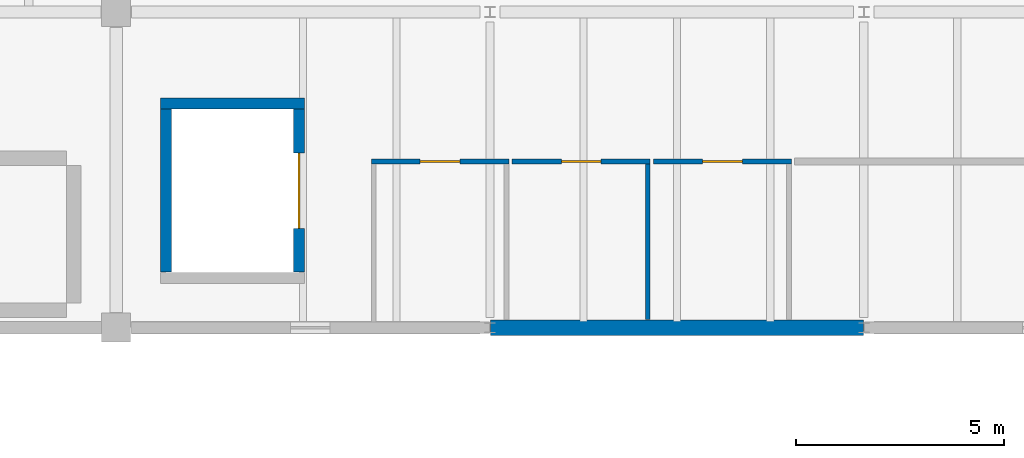
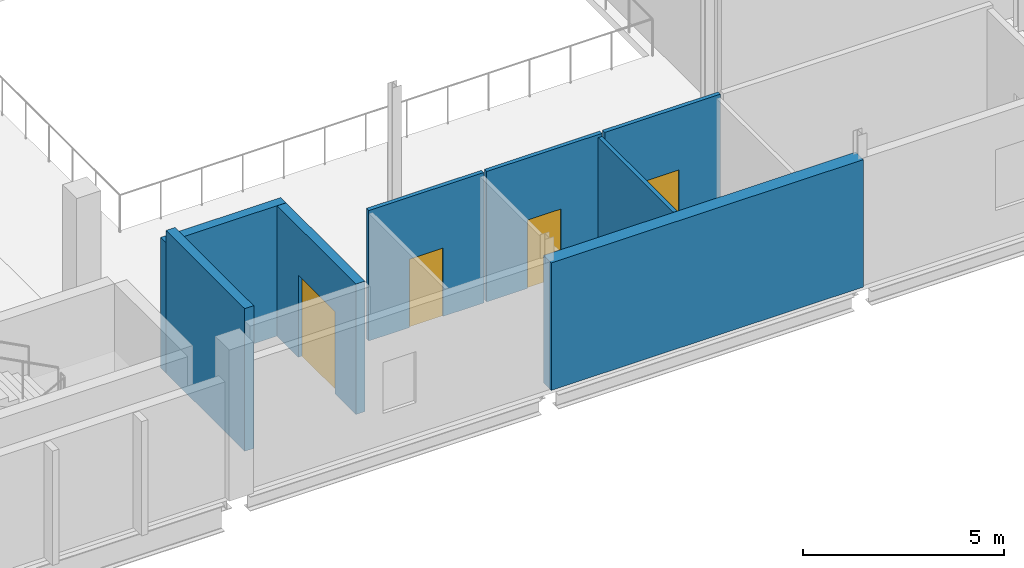
# One storey, part 29 of 37: 8 walls, 4 doors, 4 openings.
"""IFC4 building model written with IfcOpenShell, lengths in metres."""

import ifcopenshell
import ifcopenshell.guid

model = None  # the IFC model being written
_history = None  # IfcOwnerHistory: only IFC2X3 demands one
_inside = {}  # id of a spatial element -> (the spatial element, [elements in it])
_under = {}  # id of a project, library or spatial element -> (it, [spatial elements below it])
_declared = {}  # id of a project -> (the project, [libraries it declares])
_typed = {}  # id of a type object -> (the type object, [elements of that type])
_made_of = {}  # id of a material, layer set ... -> (it, [elements and type objects made of it])


def new_model(schema):
    """Start an empty IFC model of exactly this schema.

    Asked for "IFC4X3", IfcOpenShell would pick the latest addendum, in which some entities
    have other attributes; the version numbers below select the first issue.
    IFC2X3 requires an IfcOwnerHistory on every rooted entity: one is made here for all.
    """
    global model, _history
    if schema == "IFC4X3":
        model = ifcopenshell.file(schema_version=(4, 3, 0, 0))
    else:
        model = ifcopenshell.file(schema=schema)
    _inside.clear()
    _under.clear()
    _declared.clear()
    _typed.clear()
    _made_of.clear()
    _history = None
    if model.schema == "IFC2X3":
        org = make("IfcOrganization", Name="unknown")
        user = make(
            "IfcPersonAndOrganization",
            ThePerson=make("IfcPerson", FamilyName="unknown"),
            TheOrganization=org,
        )
        app = make(
            "IfcApplication",
            ApplicationDeveloper=org,
            Version="unknown",
            ApplicationFullName="unknown",
            ApplicationIdentifier="unknown",
        )
        _history = make(
            "IfcOwnerHistory",
            OwningUser=user,
            OwningApplication=app,
            ChangeAction="ADDED",
            CreationDate=0,
        )
    return model


def make(cls, **values):
    """One entity of the class cls with the attributes given. An attribute that is None is left unset."""
    return model.create_entity(
        cls, **{name: value for name, value in values.items() if value is not None}
    )


def rooted(cls, **values):
    """An entity with a GlobalId (a new one), such as an element, a storey or a relation."""
    return make(cls, GlobalId=ifcopenshell.guid.new(), OwnerHistory=_history, **values)


def si_unit(unit_type, name, prefix=None):
    """IfcSIUnit, for example si_unit("LENGTHUNIT", "METRE", prefix="MILLI")."""
    return make("IfcSIUnit", UnitType=unit_type, Prefix=prefix, Name=name)


def assignment(units):
    """IfcUnitAssignment: the units of a project."""
    return None if units is None else make("IfcUnitAssignment", Units=units)


def point(xyz):
    """IfcCartesianPoint."""
    return None if xyz is None else make("IfcCartesianPoint", Coordinates=xyz)


def direction(xyz):
    """IfcDirection."""
    return None if xyz is None else make("IfcDirection", DirectionRatios=xyz)


def frame(location, z_axis=None, x_axis=None):
    """IfcAxis2Placement3D, a coordinate frame: its origin and axes. An axis left out is left unset."""
    return make(
        "IfcAxis2Placement3D",
        Location=point(location),
        Axis=direction(z_axis),
        RefDirection=direction(x_axis),
    )


def frame_2d(location, x_axis=None):
    """IfcAxis2Placement2D, a coordinate frame in the plane: its origin and x axis."""
    return make(
        "IfcAxis2Placement2D", Location=point(location), RefDirection=direction(x_axis)
    )


def origin():
    """The frame at (0, 0, 0) with its axes left unset."""
    return frame((0.0, 0.0, 0.0))


def place(relative_to, where):
    """IfcLocalPlacement: puts the frame where relative to a parent placement (None: the world)."""
    return make(
        "IfcLocalPlacement", PlacementRelTo=relative_to, RelativePlacement=where
    )


def context(
    kind, dimensions, precision=None, world=None, true_north=None, identifier=None
):
    """IfcGeometricRepresentationContext, for example the 3D "Model" context."""
    return make(
        "IfcGeometricRepresentationContext",
        ContextIdentifier=identifier,
        ContextType=kind,
        CoordinateSpaceDimension=dimensions,
        Precision=precision,
        WorldCoordinateSystem=world,
        TrueNorth=true_north,
    )


def subcontext(parent, identifier, kind, view, scale=None):
    """IfcGeometricRepresentationSubContext, for example "Body" below "Model"."""
    return make(
        "IfcGeometricRepresentationSubContext",
        ContextIdentifier=identifier,
        ContextType=kind,
        ParentContext=parent,
        TargetScale=scale,
        TargetView=view,
    )


def project(units=None, contexts=None):
    """IfcProject with its units and contexts."""
    return rooted(
        "IfcProject",
        Name="project",
        RepresentationContexts=contexts,
        UnitsInContext=assignment(units),
    )


def spatial(cls, under=None, at=None, **own):
    """A site, building, storey or space (cls), placed at a placement, below another one or the project."""
    s = rooted(cls, ObjectPlacement=at, **own)
    if under is not None:
        _under.setdefault(under.id(), (under, []))[1].append(s)
    return s


def profile(cls, at=None, kind="AREA", **sizes):
    """A parametric profile (cls). Its sizes go by their IFC names, for example OverallWidth=200.0."""
    return make(cls, ProfileType=kind, Position=at, **sizes)


def rectangle(**sizes):
    """IfcRectangleProfileDef."""
    return profile("IfcRectangleProfileDef", **sizes)


def extrude(swept, where, along, depth):
    """IfcExtrudedAreaSolid: the profile swept, set in the frame where, extruded along a direction by depth."""
    return make(
        "IfcExtrudedAreaSolid",
        SweptArea=swept,
        Position=where,
        ExtrudedDirection=direction(along),
        Depth=depth,
    )


def shape(context_of_items, identifier, shape_type, items):
    """IfcShapeRepresentation: the items that make up one representation, for example the "Body"."""
    return make(
        "IfcShapeRepresentation",
        ContextOfItems=context_of_items,
        RepresentationIdentifier=identifier,
        RepresentationType=shape_type,
        Items=items,
    )


def material(Name=None, Category=None):
    """IfcMaterial."""
    return make("IfcMaterial", Name=Name, Category=Category)


def layer(
    of_material, thickness, ventilated=None, Name=None, Category=None, Priority=None
):
    """IfcMaterialLayer: one layer of a wall or slab, of a material (None: an air gap)."""
    return make(
        "IfcMaterialLayer",
        Material=of_material,
        LayerThickness=thickness,
        IsVentilated=ventilated,
        Name=Name,
        Category=Category,
        Priority=Priority,
    )


def layer_set(layers, Name=None):
    """IfcMaterialLayerSet."""
    return make("IfcMaterialLayerSet", MaterialLayers=layers, LayerSetName=Name)


def made_of(thing, what):
    """Note that an element or type object is made of a material, layer set ...; save() writes the relation."""
    if what is not None:
        _made_of.setdefault(what.id(), (what, []))[1].append(thing)
    return thing


def type_object(cls, material=None, **own):
    """A type object (cls), such as IfcWallType, which elements share."""
    return made_of(rooted(cls, **own), material)


def element(
    cls,
    number,
    at=None,
    inside=None,
    cuts=None,
    type_object=None,
    material=None,
    context=None,
    identifier="Body",
    shape_type=None,
    held_by="IfcProductDefinitionShape",
    body=None,
    shapes=None,
    **own,
):
    """One element of the class cls, such as IfcWall. Its Tag is "e" and its number.

    at: its placement. inside: the storey or other place that contains it. cuts: it is an
    opening in that element (IfcRelVoidsElement). A single representation is given by context,
    identifier, shape_type and body (its items); several are given by shapes. held_by: the class
    of the entity that holds the representations. save() writes the other relations.
    """
    e = rooted(cls, Tag="e%d" % number, ObjectPlacement=at, **own)
    if body is not None:
        shapes = [shape(context, identifier, shape_type, body)]
    if shapes is not None:
        e.Representation = make(held_by, Representations=shapes)
    if inside is not None:
        _inside.setdefault(inside.id(), (inside, []))[1].append(e)
    if cuts is not None:
        rooted(
            "IfcRelVoidsElement", RelatingBuildingElement=cuts, RelatedOpeningElement=e
        )
    if type_object is not None:
        _typed.setdefault(type_object.id(), (type_object, []))[1].append(e)
    return made_of(e, material)


def fill(opening, filler):
    """IfcRelFillsElement: the door or window that sits in an opening."""
    return rooted(
        "IfcRelFillsElement",
        RelatingOpeningElement=opening,
        RelatedBuildingElement=filler,
    )


def aggregate(whole, parts):
    """IfcRelAggregates: a whole, such as a stair, and the parts it consists of."""
    return rooted("IfcRelAggregates", RelatingObject=whole, RelatedObjects=parts)


def save(model, path):
    """Write the relations noted so far, then the file.

    IfcRelAggregates (storeys below a building ...), IfcRelContainedInSpatialStructure (elements
    in a storey), IfcRelDefinesByType, IfcRelAssociatesMaterial and IfcRelDeclares: one each for
    every whole, place, type object, material and project.
    """
    for whole, parts in _under.values():
        aggregate(whole, parts)
    for where, things in _inside.values():
        rooted(
            "IfcRelContainedInSpatialStructure",
            RelatedElements=things,
            RelatingStructure=where,
        )
    for kind, things in _typed.values():
        rooted("IfcRelDefinesByType", RelatedObjects=things, RelatingType=kind)
    for what, things in _made_of.values():
        rooted("IfcRelAssociatesMaterial", RelatedObjects=things, RelatingMaterial=what)
    for by, libraries in _declared.values():
        rooted("IfcRelDeclares", RelatingContext=by, RelatedDefinitions=libraries)
    model.write(path)


model = new_model("IFC4")

# Units and contexts
model_context = context("Model", 3, precision=1e-05, world=origin(), true_north=direction((0.0, 1.0)))
body_context = subcontext(model_context, "Body", "Model", "MODEL_VIEW")
ifc_project = project(units=[si_unit("LENGTHUNIT", "METRE"), si_unit("AREAUNIT", "SQUARE_METRE"), si_unit("VOLUMEUNIT", "CUBIC_METRE"), si_unit("PLANEANGLEUNIT", "RADIAN"), si_unit("MASSUNIT", "GRAM", prefix="KILO")], contexts=[model_context])

# Site, building, storey
site_placement = place(None, origin())
site = spatial("IfcSite", under=ifc_project, at=site_placement, CompositionType="ELEMENT")
building_placement = place(site_placement, origin())
building = spatial("IfcBuilding", under=site, at=building_placement, Name="Shengluoqiao Park Theatre", CompositionType="ELEMENT")
storey_placement = place(building_placement, frame((0.0, 0.0, 19.199951171875)))
storey = spatial("IfcBuildingStorey", under=building, at=storey_placement, Name="L04", CompositionType="ELEMENT", Elevation=19.199951171875)

# Walls
ifc_material_1 = material(Name="Concrete C45", Category="concrete")
ifc_layer_1 = layer(ifc_material_1, 0.3798828125, Name="Concrete C45")
ifc_layer_set_1 = layer_set([ifc_layer_1], Name="Concrete C45")
wall_type_1 = type_object("IfcWallType", Name="ENV-WL-CONC380", PredefinedType="STANDARD", material=ifc_layer_set_1)
wall_1_placement = place(storey_placement, frame((121.409912109375, 84.0, 0.0), z_axis=(0.0, 0.0, 1.0), x_axis=(1.0, 0.0, 0.0)))
element("IfcWall", 1, at=wall_1_placement, inside=storey, type_object=wall_type_1, Name="L04 Exterior Wall 0257", PredefinedType="STANDARD", context=body_context, shape_type="SweptSolid", body=[
    extrude(rectangle(XDim=8.97998046875, YDim=0.3798828125, at=frame_2d((4.489990234375, 0.0))), origin(), (0.0, 0.0, 1.0), 3.8779296875),
])
ifc_material_2 = material(Name="Concrete C40", Category="concrete")
ifc_layer_2 = layer(ifc_material_2, 0.260009765625, Name="Concrete C40")
ifc_layer_set_2 = layer_set([ifc_layer_2], Name="Concrete C40")
wall_type_2 = type_object("IfcWallType", Name="INT-WL-SHF260", PredefinedType="STANDARD", material=ifc_layer_set_2)
wall_2_placement = place(storey_placement, frame((113.469970703125, 89.39990234375, 0.0), z_axis=(0.0, 0.0, 1.0), x_axis=(1.0, 0.0, 0.0)))
element("IfcWall", 2, at=wall_2_placement, inside=storey, type_object=wall_type_2, Name="L04 FL1 Lift Shaft Wall North", PredefinedType="STANDARD", context=body_context, shape_type="SweptSolid", body=[
    extrude(rectangle(XDim=3.4599609375, YDim=0.260009765625, at=frame_2d((1.72998046875, 0.0))), origin(), (0.0, 0.0, 1.0), 3.968017578125),
])
wall_3_placement = place(storey_placement, frame((113.60009765625, 85.3359375, 0.0), z_axis=(0.0, 0.0, 1.0), x_axis=(0.0, 1.0, 0.0)))
element("IfcWall", 3, at=wall_3_placement, inside=storey, type_object=wall_type_2, Name="L04 FL1 Lift Shaft Wall West", PredefinedType="STANDARD", context=body_context, shape_type="SweptSolid", body=[
    extrude(rectangle(XDim=3.927978515625, YDim=0.260009765625, at=frame_2d((1.9638671875, 0.0))), origin(), (0.0, 0.0, 1.0), 4.340087890625),
])

# Wall, opening, door
wall_4_placement = place(storey_placement, frame((116.800048828125, 85.3359375, 0.0), z_axis=(0.0, 0.0, 1.0), x_axis=(0.0, 1.0, 0.0)))
wall_4 = element("IfcWall", 4, at=wall_4_placement, inside=storey, type_object=wall_type_2, Name="L04 FL1 Lift Shaft Wall East", PredefinedType="STANDARD", context=body_context, shape_type="SweptSolid", body=[
    extrude(rectangle(XDim=3.927978515625, YDim=0.260009765625, at=frame_2d((1.9638671875, 0.0))), origin(), (0.0, 0.0, 1.0), 3.968017578125),
])
opening_1_placement = place(wall_4_placement, frame((1.053955078125, 0.0, 0.0)))
opening_1 = element("IfcOpeningElement", 5, at=opening_1_placement, cuts=wall_4, Name="Opening LD-FL1-L04", PredefinedType="OPENING", context=body_context, shape_type="SweptSolid", body=[
    extrude(rectangle(XDim=1.820068359375, YDim=2.5, at=frame_2d((0.91015625, 1.25))), frame((0.0, 0.139892578125, 0.0), z_axis=(0.0, -1.0, 0.0), x_axis=(1.0, 0.0, 0.0)), (0.0, 0.0, 1.0), 0.280029296875),
])
ifc_material_3 = material(Name="Stainless steel 304", Category="steel")
door_type_1 = type_object("IfcDoorType", Name="INT-DR-LD182", OperationType="SLIDING_TO_LEFT", PredefinedType="DOOR", material=ifc_material_3)
door_1_placement = place(opening_1_placement, origin())
door_1 = element("IfcDoor", 6, at=door_1_placement, inside=storey, type_object=door_type_1, Name="FL1 Lift Landing Door LD-FL1-L04", OperationType="SLIDING_TO_LEFT", OverallHeight=2.5, OverallWidth=1.820068359375, PredefinedType="DOOR", context=body_context, shape_type="SweptSolid", body=[
    extrude(rectangle(XDim=1.820068359375, YDim=2.5, at=frame_2d((0.91015625, 1.25))), frame((0.0, 0.02490234375, 0.0), z_axis=(0.0, -1.0, 0.0), x_axis=(1.0, 0.0, 0.0)), (0.0, 0.0, 1.0), 0.050048828125),
])
fill(opening_1, door_1)

ifc_material_4 = material(Name="Moisture-resistant board")
ifc_layer_3 = layer(ifc_material_4, 0.114990234375, Name="Moisture-resistant board")
ifc_layer_set_3 = layer_set([ifc_layer_3], Name="Moisture-resistant board")
wall_type_3 = type_object("IfcWallType", Name="INT-WL-WCP115", PredefinedType="PARTITIONING", material=ifc_layer_set_3)
wall_5_placement = place(storey_placement, frame((118.54248046875, 88.0, 0.0), z_axis=(0.0, 0.0, 1.0), x_axis=(1.0, 0.0, 0.0)))
wall_5 = element("IfcWall", 7, at=wall_5_placement, inside=storey, type_object=wall_type_3, Name="Fourth Floor Accessible WC Partition N", PredefinedType="PARTITIONING", context=body_context, shape_type="SweptSolid", body=[
    extrude(rectangle(XDim=3.31494140625, YDim=0.114990234375, at=frame_2d((1.657470703125, 0.0))), origin(), (0.0, 0.0, 1.0), 3.968017578125),
])
opening_2_placement = place(wall_5_placement, frame((1.177490234375, 0.0, 0.0)))
opening_2 = element("IfcOpeningElement", 8, at=opening_2_placement, cuts=wall_5, Name="Opening D-L04-089", PredefinedType="OPENING", context=body_context, shape_type="SweptSolid", body=[
    extrude(rectangle(XDim=0.9599609375, YDim=2.080078125, at=frame_2d((0.47998046875, 1.0400390625))), frame((0.0, 0.0673828125, 0.0), z_axis=(0.0, -1.0, 0.0), x_axis=(1.0, 0.0, 0.0)), (0.0, 0.0, 1.0), 0.135009765625),
])
ifc_material_5 = material(Name="Moisture-resistant laminate")
door_type_2 = type_object("IfcDoorType", Name="INT-DR-ACC096", OperationType="NOTDEFINED", PredefinedType="DOOR", material=ifc_material_5)
door_2_placement = place(opening_2_placement, origin())
door_2 = element("IfcDoor", 9, at=door_2_placement, inside=storey, type_object=door_type_2, Name="Fourth Floor Accessible WC Door D-L04-089", OperationType="SINGLE_SWING_LEFT", OverallHeight=2.080078125, OverallWidth=0.9599609375, PredefinedType="DOOR", context=body_context, shape_type="SweptSolid", body=[
    extrude(rectangle(XDim=0.9599609375, YDim=2.080078125, at=frame_2d((0.47998046875, 1.0400390625))), frame((0.0, 0.02490234375, 0.0), z_axis=(0.0, -1.0, 0.0), x_axis=(1.0, 0.0, 0.0)), (0.0, 0.0, 1.0), 0.050048828125),
])
fill(opening_2, door_2)

wall_6_placement = place(storey_placement, frame((121.93505859375, 88.0, 0.0), z_axis=(0.0, 0.0, 1.0), x_axis=(1.0, 0.0, 0.0)))
wall_6 = element("IfcWall", 10, at=wall_6_placement, inside=storey, type_object=wall_type_3, Name="Fourth Floor Staff Male WC Partition N", PredefinedType="PARTITIONING", context=body_context, shape_type="SweptSolid", body=[
    extrude(rectangle(XDim=3.322509765625, YDim=0.114990234375, at=frame_2d((1.6611328125, 0.0))), origin(), (0.0, 0.0, 1.0), 3.968017578125),
])
opening_3_placement = place(wall_6_placement, frame((1.18115234375, 0.0, 0.0)))
opening_3 = element("IfcOpeningElement", 11, at=opening_3_placement, cuts=wall_6, Name="Opening D-L04-090", PredefinedType="OPENING", context=body_context, shape_type="SweptSolid", body=[
    extrude(rectangle(XDim=0.9599609375, YDim=2.080078125, at=frame_2d((0.47998046875, 1.0400390625))), frame((0.0, 0.0673828125, 0.0), z_axis=(0.0, -1.0, 0.0), x_axis=(1.0, 0.0, 0.0)), (0.0, 0.0, 1.0), 0.135009765625),
])
door_3_placement = place(opening_3_placement, origin())
door_3 = element("IfcDoor", 12, at=door_3_placement, inside=storey, type_object=door_type_2, Name="Fourth Floor Staff Male WC Door D-L04-090", OperationType="SINGLE_SWING_RIGHT", OverallHeight=2.080078125, OverallWidth=0.9599609375, PredefinedType="DOOR", context=body_context, shape_type="SweptSolid", body=[
    extrude(rectangle(XDim=0.9599609375, YDim=2.080078125, at=frame_2d((0.47998046875, 1.0400390625))), frame((0.0, 0.02490234375, 0.0), z_axis=(0.0, -1.0, 0.0), x_axis=(1.0, 0.0, 0.0)), (0.0, 0.0, 1.0), 0.050048828125),
])
fill(opening_3, door_3)

# Wall
wall_7_placement = place(storey_placement, frame((125.199951171875, 84.197998046875, 0.0), z_axis=(0.0, 0.0, 1.0), x_axis=(0.0, 1.0, 0.0)))
element("IfcWall", 13, at=wall_7_placement, inside=storey, type_object=wall_type_3, Name="Fourth Floor Staff Male WC Partition E", PredefinedType="PARTITIONING", context=body_context, shape_type="SweptSolid", body=[
    extrude(rectangle(XDim=3.738525390625, YDim=0.114990234375, at=frame_2d((1.869140625, 0.0))), origin(), (0.0, 0.0, 1.0), 3.8779296875),
])

# Wall, opening, door
wall_8_placement = place(storey_placement, frame((125.3349609375, 88.0, 0.0), z_axis=(0.0, 0.0, 1.0), x_axis=(1.0, 0.0, 0.0)))
wall_8 = element("IfcWall", 14, at=wall_8_placement, inside=storey, type_object=wall_type_3, Name="Fourth Floor Staff Female WC Partition N", PredefinedType="PARTITIONING", context=body_context, shape_type="SweptSolid", body=[
    extrude(rectangle(XDim=3.322509765625, YDim=0.114990234375, at=frame_2d((1.6611328125, 0.0))), origin(), (0.0, 0.0, 1.0), 3.968017578125),
])
opening_4_placement = place(wall_8_placement, frame((1.181396484375, 0.0, 0.0)))
opening_4 = element("IfcOpeningElement", 15, at=opening_4_placement, cuts=wall_8, Name="Opening D-L04-091", PredefinedType="OPENING", context=body_context, shape_type="SweptSolid", body=[
    extrude(rectangle(XDim=0.9599609375, YDim=2.080078125, at=frame_2d((0.47998046875, 1.0400390625))), frame((0.0, 0.0673828125, 0.0), z_axis=(0.0, -1.0, 0.0), x_axis=(1.0, 0.0, 0.0)), (0.0, 0.0, 1.0), 0.135009765625),
])
door_4_placement = place(opening_4_placement, origin())
door_4 = element("IfcDoor", 16, at=door_4_placement, inside=storey, type_object=door_type_2, Name="Fourth Floor Staff Female WC Door D-L04-091", OperationType="SINGLE_SWING_LEFT", OverallHeight=2.080078125, OverallWidth=0.9599609375, PredefinedType="DOOR", context=body_context, shape_type="SweptSolid", body=[
    extrude(rectangle(XDim=0.9599609375, YDim=2.080078125, at=frame_2d((0.47998046875, 1.0400390625))), frame((0.0, 0.02490234375, 0.0), z_axis=(0.0, -1.0, 0.0), x_axis=(1.0, 0.0, 0.0)), (0.0, 0.0, 1.0), 0.050048828125),
])
fill(opening_4, door_4)

save(model, "model.ifc")
